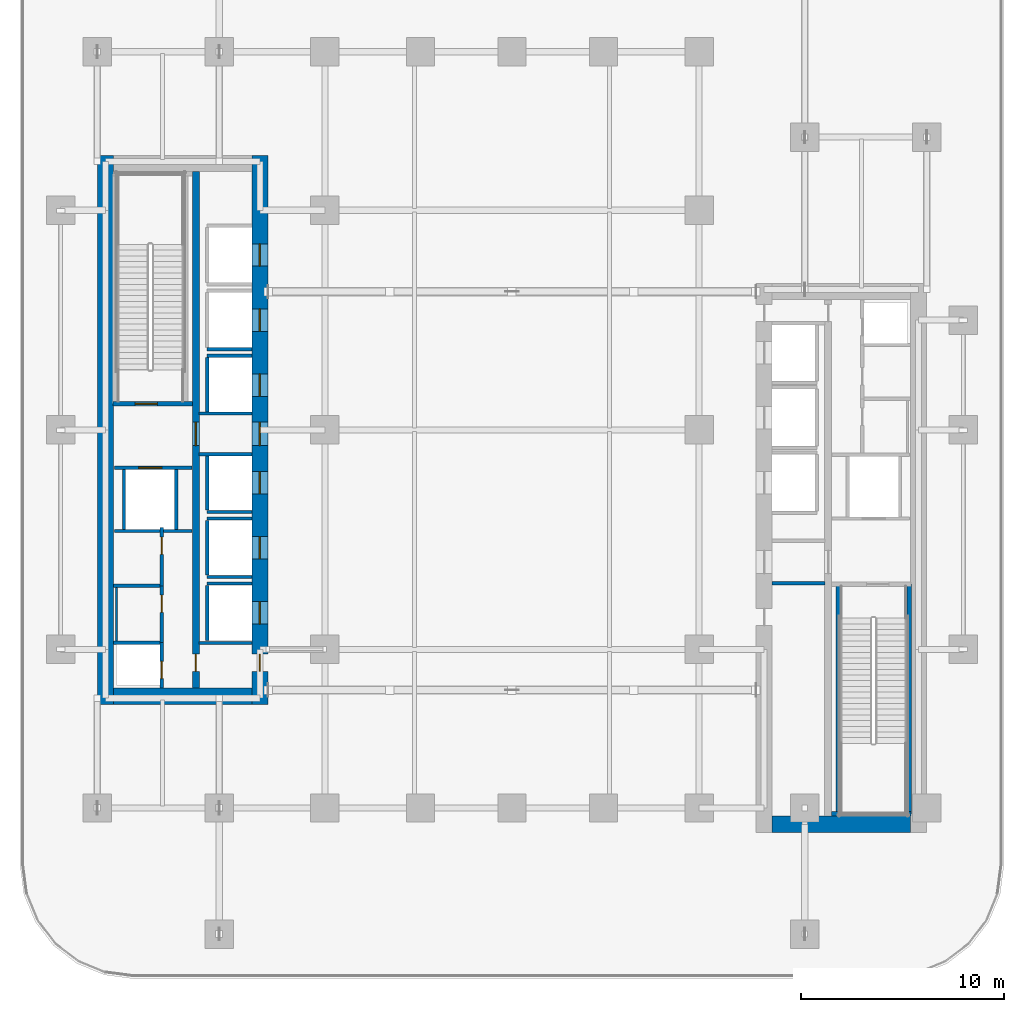
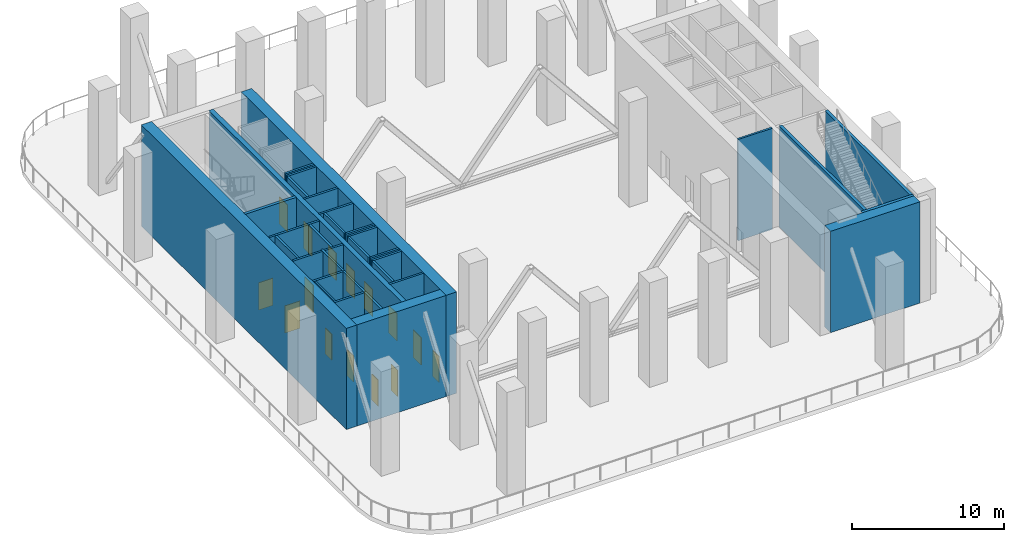
# One storey, part 5 of 13: 33 walls, 15 doors, 15 openings.
"""IFC4 building model written with IfcOpenShell, lengths in metres."""

from ifc_helpers import new_model, si_unit, direction, frame, frame_2d, origin, place, context, subcontext, project, spatial, rectangle, extrude, material, layer, layer_set, type_object, element, fill, save


model = new_model("IFC4")

# Units and contexts
model_context = context("Model", 3, precision=1e-05, world=origin(), true_north=direction((0.0, 1.0)))
body_context = subcontext(model_context, "Body", "Model", "MODEL_VIEW")
ifc_project = project(units=[si_unit("LENGTHUNIT", "METRE"), si_unit("AREAUNIT", "SQUARE_METRE"), si_unit("VOLUMEUNIT", "CUBIC_METRE"), si_unit("PLANEANGLEUNIT", "RADIAN"), si_unit("MASSUNIT", "GRAM", prefix="KILO")], contexts=[model_context])

# Site, building, storey
site_placement = place(None, origin())
site = spatial("IfcSite", under=ifc_project, at=site_placement, CompositionType="ELEMENT")
building_placement = place(site_placement, origin())
building = spatial("IfcBuilding", under=site, at=building_placement, Name="Khairoan Windgate Tower", CompositionType="ELEMENT")
storey_placement = place(building_placement, frame((0.0, 0.0, 84.800048828125)))
storey = spatial("IfcBuildingStorey", under=building, at=storey_placement, Name="L20", CompositionType="ELEMENT", Elevation=84.800048828125)

# Walls
ifc_material_1 = material(Name="Moisture-Resistant Gypsum Partition", Category="gypsum")
ifc_layer_1 = layer(ifc_material_1, 0.10009765625, Name="Moisture-Resistant Gypsum Partition")
ifc_layer_set_1 = layer_set([ifc_layer_1], Name="Moisture-Resistant Gypsum Partition")
wall_type_1 = type_object("IfcWallType", Name="Bathroom Wet-Area Partition Wall", PredefinedType="PARTITIONING", material=ifc_layer_set_1)
wall_1_placement = place(storey_placement, frame((-19.449951171875, -10.389892578125, 0.0), z_axis=(0.0, 0.0, 1.0), x_axis=(0.0, 1.0, 0.0)))
element("IfcWall", 1, at=wall_1_placement, inside=storey, type_object=wall_type_1, Name="L20 Wet Room Side Wall 011", PredefinedType="PARTITIONING", context=body_context, shape_type="SweptSolid", body=[
    extrude(rectangle(XDim=2.639892578125, YDim=0.10009765625, at=frame_2d((1.31982421875, 0.0))), origin(), (0.0, 0.0, 1.0), 8.139892578125),
])
ifc_material_2 = material(Name="Concrete C40/50", Category="concrete")
ifc_layer_2 = layer(ifc_material_2, 0.159912109375, Name="Concrete C40/50")
ifc_layer_set_2 = layer_set([ifc_layer_2], Name="Concrete C40/50")
wall_type_2 = type_object("IfcWallType", Name="Core and Hoistway Enclosure Wall", PredefinedType="STANDARD", material=ifc_layer_set_2)
for number, where, z_axis, x_axis, name in (
    (2, (-14.989990234375, 3.9599609375, 0.0), (0.0, 0.0, 1.0), (1.0, 0.0, 0.0), "L20 Lift PL2 Hoistway Divider S"),
    (3, (-14.989990234375, 3.639892578125, 0.0), (0.0, 0.0, 1.0), (1.0, 0.0, 0.0), "L20 Lift PL3 Hoistway Divider N"),
):
    element("IfcWall", number, at=place(storey_placement, frame(where, z_axis=z_axis, x_axis=x_axis)), inside=storey, type_object=wall_type_2, Name=name, PredefinedType="STANDARD", context=body_context, shape_type="SweptSolid", body=[
        extrude(rectangle(XDim=2.18994140625, YDim=0.159912109375, at=frame_2d((1.094970703125, 0.0))), origin(), (0.0, 0.0, 1.0), 8.139892578125),
    ])
wall_2_placement = place(storey_placement, frame((-14.989990234375, 0.85009765625, 0.0), z_axis=(0.0, 0.0, 1.0), x_axis=(0.0, 1.0, 0.0)))
element("IfcWall", 4, at=wall_2_placement, inside=storey, type_object=wall_type_2, Name="L20 Lift PL3 Hoistway Back Wall", PredefinedType="STANDARD", context=body_context, shape_type="SweptSolid", body=[
    extrude(rectangle(XDim=2.699951171875, YDim=0.159912109375, at=frame_2d((1.35009765625, 0.0))), origin(), (0.0, 0.0, 1.0), 8.139892578125),
])
wall_3_placement = place(storey_placement, frame((-14.989990234375, -4.0400390625, 0.0), z_axis=(0.0, 0.0, 1.0), x_axis=(1.0, 0.0, 0.0)))
element("IfcWall", 5, at=wall_3_placement, inside=storey, type_object=wall_type_2, Name="L20 Lift PL4 Hoistway Divider S", PredefinedType="STANDARD", context=body_context, shape_type="SweptSolid", body=[
    extrude(rectangle(XDim=2.18994140625, YDim=0.159912109375, at=frame_2d((1.094970703125, 0.0))), origin(), (0.0, 0.0, 1.0), 8.139892578125),
])
wall_4_placement = place(storey_placement, frame((-14.989990234375, -3.949951171875, 0.0), z_axis=(0.0, 0.0, 1.0), x_axis=(0.0, 1.0, 0.0)))
element("IfcWall", 6, at=wall_4_placement, inside=storey, type_object=wall_type_2, Name="L20 Lift PL4 Hoistway Back Wall", PredefinedType="STANDARD", context=body_context, shape_type="SweptSolid", body=[
    extrude(rectangle(XDim=2.699951171875, YDim=0.159912109375, at=frame_2d((1.35009765625, 0.0))), origin(), (0.0, 0.0, 1.0), 8.139892578125),
])
for number, where, z_axis, x_axis, name in (
    (7, (-14.989990234375, -7.239990234375, 0.0), (0.0, 0.0, 1.0), (1.0, 0.0, 0.0), "L20 Lift PL5 Hoistway Divider S"),
    (8, (-14.989990234375, -4.360107421875, 0.0), (0.0, 0.0, 1.0), (1.0, 0.0, 0.0), "L20 Lift PL5 Hoistway Divider N"),
):
    element("IfcWall", number, at=place(storey_placement, frame(where, z_axis=z_axis, x_axis=x_axis)), inside=storey, type_object=wall_type_2, Name=name, PredefinedType="STANDARD", context=body_context, shape_type="SweptSolid", body=[
        extrude(rectangle(XDim=2.18994140625, YDim=0.159912109375, at=frame_2d((1.094970703125, 0.0))), origin(), (0.0, 0.0, 1.0), 8.139892578125),
    ])
wall_5_placement = place(storey_placement, frame((-14.989990234375, -7.14990234375, 0.0), z_axis=(0.0, 0.0, 1.0), x_axis=(0.0, 1.0, 0.0)))
element("IfcWall", 9, at=wall_5_placement, inside=storey, type_object=wall_type_2, Name="L20 Lift PL5 Hoistway Back Wall", PredefinedType="STANDARD", context=body_context, shape_type="SweptSolid", body=[
    extrude(rectangle(XDim=2.699951171875, YDim=0.159912109375, at=frame_2d((1.35009765625, 0.0))), origin(), (0.0, 0.0, 1.0), 8.139892578125),
])
wall_6_placement = place(storey_placement, frame((-14.989990234375, -7.56005859375, 0.0), z_axis=(0.0, 0.0, 1.0), x_axis=(1.0, 0.0, 0.0)))
element("IfcWall", 10, at=wall_6_placement, inside=storey, type_object=wall_type_2, Name="L20 Lift PL6 Hoistway Divider N", PredefinedType="STANDARD", context=body_context, shape_type="SweptSolid", body=[
    extrude(rectangle(XDim=2.18994140625, YDim=0.159912109375, at=frame_2d((1.094970703125, 0.0))), origin(), (0.0, 0.0, 1.0), 8.139892578125),
])
wall_7_placement = place(storey_placement, frame((-14.989990234375, -10.35009765625, 0.0), z_axis=(0.0, 0.0, 1.0), x_axis=(0.0, 1.0, 0.0)))
element("IfcWall", 11, at=wall_7_placement, inside=storey, type_object=wall_type_2, Name="L20 Lift PL6 Hoistway Back Wall", PredefinedType="STANDARD", context=body_context, shape_type="SweptSolid", body=[
    extrude(rectangle(XDim=2.7001953125, YDim=0.159912109375, at=frame_2d((1.35009765625, 0.0))), origin(), (0.0, 0.0, 1.0), 8.139892578125),
])

# Wall, opening, door
wall_8_placement = place(storey_placement, frame((-19.550048828125, -1.860107421875, 0.0), z_axis=(0.0, 0.0, 1.0), x_axis=(1.0, 0.0, 0.0)))
wall_8 = element("IfcWall", 12, at=wall_8_placement, inside=storey, type_object=wall_type_2, Name="L20 Core Shaft Wall SW-FL2-L20", PredefinedType="STANDARD", context=body_context, shape_type="SweptSolid", body=[
    extrude(rectangle(XDim=3.800048828125, YDim=0.159912109375, at=frame_2d((1.89990234375, 0.0))), origin(), (0.0, 0.0, 1.0), 8.139892578125),
])
opening_1_placement = place(wall_8_placement, frame((1.179931640625, 0.0, 0.0)))
opening_1 = element("IfcOpeningElement", 13, at=opening_1_placement, cuts=wall_8, Name="Opening LD-FL", PredefinedType="OPENING", context=body_context, shape_type="SweptSolid", body=[
    extrude(rectangle(XDim=1.14990234375, YDim=2.199951171875, at=frame_2d((0.574951171875, 1.10009765625))), frame((0.0, 0.08984375, 0.0), z_axis=(0.0, -1.0, 0.0), x_axis=(1.0, 0.0, 0.0)), (0.0, 0.0, 1.0), 0.179931640625),
])
ifc_material_3 = material(Name="Steel S355", Category="steel")
door_type_1 = type_object("IfcDoorType", Name="Firefighting Lift Sliding Landing Door LD-FL 1150x2200", OperationType="DOUBLE_DOOR_SLIDING", PredefinedType="DOOR", material=ifc_material_3)
door_1_placement = place(opening_1_placement, origin())
door_1 = element("IfcDoor", 14, at=door_1_placement, inside=storey, type_object=door_type_1, Name="L20 Firefighting Lift FL2 Landing Door", OperationType="DOUBLE_DOOR_SLIDING", OverallHeight=2.199951171875, OverallWidth=1.14990234375, PredefinedType="DOOR", context=body_context, shape_type="SweptSolid", body=[
    extrude(rectangle(XDim=1.14990234375, YDim=2.199951171875, at=frame_2d((0.574951171875, 1.10009765625))), frame((0.0, 0.02490234375, 0.0), z_axis=(0.0, -1.0, 0.0), x_axis=(1.0, 0.0, 0.0)), (0.0, 0.0, 1.0), 0.050048828125),
])
fill(opening_1, door_1)

# Walls
wall_9_placement = place(storey_placement, frame((-19.550048828125, -4.97998046875, 0.0), z_axis=(0.0, 0.0, 1.0), x_axis=(1.0, 0.0, 0.0)))
element("IfcWall", 15, at=wall_9_placement, inside=storey, type_object=wall_type_2, Name="L20 Core Shaft Wall SW-FL2B-L20", PredefinedType="STANDARD", context=body_context, shape_type="SweptSolid", body=[
    extrude(rectangle(XDim=3.800048828125, YDim=0.159912109375, at=frame_2d((1.89990234375, 0.0))), origin(), (0.0, 0.0, 1.0), 8.139892578125),
])
for number, where, z_axis, x_axis, name in (
    (16, (-19.080078125, -4.89990234375, 0.0), (0.0, 0.0, 1.0), (0.0, 1.0, 0.0), "L20 Core Shaft Wall SW-FL2W-L20"),
    (17, (-16.52001953125, -4.89990234375, 0.0), (0.0, 0.0, 1.0), (0.0, 1.0, 0.0), "L20 Core Shaft Wall SW-FL2E-L20"),
):
    element("IfcWall", number, at=place(storey_placement, frame(where, z_axis=z_axis, x_axis=x_axis)), inside=storey, type_object=wall_type_2, Name=name, PredefinedType="STANDARD", context=body_context, shape_type="SweptSolid", body=[
        extrude(rectangle(XDim=2.9599609375, YDim=0.159912109375, at=frame_2d((1.47998046875, 0.0))), origin(), (0.0, 0.0, 1.0), 8.139892578125),
    ])
for number, where, z_axis, x_axis, name in (
    (18, (-15.39990234375, 0.800048828125, 0.0), (0.0, 0.0, 1.0), (1.0, 0.0, 0.0), "L20 Core Shaft Wall SW-WV1-L20"),
    (19, (-15.39990234375, -1.199951171875, 0.0), (0.0, 0.0, 1.0), (1.0, 0.0, 0.0), "L20 Core Shaft Wall SW-WV2-L20"),
    (20, (-15.39990234375, -10.47998046875, 0.0), (0.0, 0.0, 1.0), (1.0, 0.0, 0.0), "L20 Core Shaft Wall SW-WSV-L20"),
    (21, (12.800048828125, -7.5400390625, 0.0), (0.0, 0.0, 1.0), (1.0, 0.0, 0.0), "L20 Core Shaft Wall SW-EV2-L20"),
):
    element("IfcWall", number, at=place(storey_placement, frame(where, z_axis=z_axis, x_axis=x_axis)), inside=storey, type_object=wall_type_2, Name=name, PredefinedType="STANDARD", context=body_context, shape_type="SweptSolid", body=[
        extrude(rectangle(XDim=2.599853515625, YDim=0.159912109375, at=frame_2d((1.2998046875, 0.0))), origin(), (0.0, 0.0, 1.0), 8.139892578125),
    ])

# Wall, opening, door
ifc_material_4 = material(Name="Concrete C40/50", Category="concrete")
ifc_layer_3 = layer(ifc_material_4, 0.159912109375, Name="Concrete C40/50")
ifc_layer_set_3 = layer_set([ifc_layer_3], Name="Concrete C40/50")
wall_type_3 = type_object("IfcWallType", Name="Plant and Refuge Compartment Wall", PredefinedType="PARTITIONING", material=ifc_layer_set_3)
wall_10_placement = place(storey_placement, frame((-17.22998046875, -12.699951171875, 0.0), z_axis=(0.0, 0.0, 1.0), x_axis=(0.0, 1.0, 0.0)))
wall_10 = element("IfcWall", 22, at=wall_10_placement, inside=storey, type_object=wall_type_3, Name="L20 Interior Partition 001", PredefinedType="PARTITIONING", context=body_context, shape_type="SweptSolid", body=[
    extrude(rectangle(XDim=2.22998046875, YDim=0.159912109375, at=frame_2d((1.114990234375, 0.0))), origin(), (0.0, 0.0, 1.0), 8.139892578125),
])
opening_2_placement = place(wall_10_placement, frame((0.4599609375, 0.0, 0.0)))
opening_2 = element("IfcOpeningElement", 23, at=opening_2_placement, cuts=wall_10, Name="Opening FD-SRV", PredefinedType="OPENING", context=body_context, shape_type="SweptSolid", body=[
    extrude(rectangle(XDim=0.85009765625, YDim=2.10009765625, at=frame_2d((0.425048828125, 1.050048828125))), frame((0.0, 0.08984375, 0.0), z_axis=(0.0, -1.0, 0.0), x_axis=(1.0, 0.0, 0.0)), (0.0, 0.0, 1.0), 0.179931640625),
])
ifc_material_5 = material(Name="Steel S355", Category="steel")
door_type_2 = type_object("IfcDoorType", Name="Core Service and Riser Fire Door FD-SRV 850x2100", OperationType="NOTDEFINED", PredefinedType="DOOR", material=ifc_material_5)
door_2_placement = place(opening_2_placement, origin())
door_2 = element("IfcDoor", 24, at=door_2_placement, inside=storey, type_object=door_type_2, Name="L20 L20-04-L20-05 Door", OperationType="SINGLE_SWING_LEFT", OverallHeight=2.10009765625, OverallWidth=0.85009765625, PredefinedType="DOOR", context=body_context, shape_type="SweptSolid", body=[
    extrude(rectangle(XDim=0.85009765625, YDim=2.10009765625, at=frame_2d((0.425048828125, 1.050048828125))), frame((0.0, 0.02490234375, 0.0), z_axis=(0.0, -1.0, 0.0), x_axis=(1.0, 0.0, 0.0)), (0.0, 0.0, 1.0), 0.050048828125),
])
fill(opening_2, door_2)

wall_11_placement = place(storey_placement, frame((-17.22998046875, -10.469970703125, 0.0), z_axis=(0.0, 0.0, 1.0), x_axis=(0.0, 1.0, 0.0)))
wall_11 = element("IfcWall", 25, at=wall_11_placement, inside=storey, type_object=wall_type_3, Name="L20 Interior Partition 002", PredefinedType="PARTITIONING", context=body_context, shape_type="SweptSolid", body=[
    extrude(rectangle(XDim=2.800048828125, YDim=0.159912109375, at=frame_2d((1.39990234375, 0.0))), origin(), (0.0, 0.0, 1.0), 8.139892578125),
])
opening_3_placement = place(wall_11_placement, frame((1.489990234375, 0.0, 0.0)))
opening_3 = element("IfcOpeningElement", 26, at=opening_3_placement, cuts=wall_11, Name="Opening FD-SRV", PredefinedType="OPENING", context=body_context, shape_type="SweptSolid", body=[
    extrude(rectangle(XDim=0.85009765625, YDim=2.10009765625, at=frame_2d((0.425048828125, 1.050048828125))), frame((0.0, 0.08984375, 0.0), z_axis=(0.0, -1.0, 0.0), x_axis=(1.0, 0.0, 0.0)), (0.0, 0.0, 1.0), 0.179931640625),
])
door_3_placement = place(opening_3_placement, origin())
door_3 = element("IfcDoor", 27, at=door_3_placement, inside=storey, type_object=door_type_2, Name="L20 L20-04-L20-06 Door", OperationType="SINGLE_SWING_RIGHT", OverallHeight=2.10009765625, OverallWidth=0.85009765625, PredefinedType="DOOR", context=body_context, shape_type="SweptSolid", body=[
    extrude(rectangle(XDim=0.85009765625, YDim=2.10009765625, at=frame_2d((0.425048828125, 1.050048828125))), frame((0.0, 0.02490234375, 0.0), z_axis=(0.0, -1.0, 0.0), x_axis=(1.0, 0.0, 0.0)), (0.0, 0.0, 1.0), 0.050048828125),
])
fill(opening_3, door_3)

wall_12_placement = place(storey_placement, frame((-17.22998046875, -7.669921875, 0.0), z_axis=(0.0, 0.0, 1.0), x_axis=(0.0, 1.0, 0.0)))
wall_12 = element("IfcWall", 28, at=wall_12_placement, inside=storey, type_object=wall_type_3, Name="L20 Interior Partition 003", PredefinedType="PARTITIONING", context=body_context, shape_type="SweptSolid", body=[
    extrude(rectangle(XDim=2.85986328125, YDim=0.159912109375, at=frame_2d((1.429931640625, 0.0))), origin(), (0.0, 0.0, 1.0), 8.139892578125),
])
opening_4_placement = place(wall_12_placement, frame((1.550048828125, 0.0, 0.0)))
opening_4 = element("IfcOpeningElement", 29, at=opening_4_placement, cuts=wall_12, Name="Opening FD-SRV", PredefinedType="OPENING", context=body_context, shape_type="SweptSolid", body=[
    extrude(rectangle(XDim=0.85009765625, YDim=2.10009765625, at=frame_2d((0.425048828125, 1.050048828125))), frame((0.0, 0.08984375, 0.0), z_axis=(0.0, -1.0, 0.0), x_axis=(1.0, 0.0, 0.0)), (0.0, 0.0, 1.0), 0.179931640625),
])
door_4_placement = place(opening_4_placement, origin())
door_4 = element("IfcDoor", 30, at=door_4_placement, inside=storey, type_object=door_type_2, Name="L20 L20-04-L20-07 Door", OperationType="SINGLE_SWING_LEFT", OverallHeight=2.10009765625, OverallWidth=0.85009765625, PredefinedType="DOOR", context=body_context, shape_type="SweptSolid", body=[
    extrude(rectangle(XDim=0.85009765625, YDim=2.10009765625, at=frame_2d((0.425048828125, 1.050048828125))), frame((0.0, 0.02490234375, 0.0), z_axis=(0.0, -1.0, 0.0), x_axis=(1.0, 0.0, 0.0)), (0.0, 0.0, 1.0), 0.050048828125),
])
fill(opening_4, door_4)

# Walls
for number, where, z_axis, x_axis, name in (
    (31, (-19.60009765625, -10.469970703125, 0.0), (0.0, 0.0, 1.0), (1.0, 0.0, 0.0), "L20 Interior Partition 004"),
    (32, (-19.60009765625, -7.669921875, 0.0), (0.0, 0.0, 1.0), (1.0, 0.0, 0.0), "L20 Interior Partition 005"),
):
    element("IfcWall", number, at=place(storey_placement, frame(where, z_axis=z_axis, x_axis=x_axis)), inside=storey, type_object=wall_type_3, Name=name, PredefinedType="PARTITIONING", context=body_context, shape_type="SweptSolid", body=[
        extrude(rectangle(XDim=2.2900390625, YDim=0.159912109375, at=frame_2d((1.14501953125, 0.0))), origin(), (0.0, 0.0, 1.0), 8.139892578125),
    ])
ifc_material_6 = material(Name="Concrete C70/85", Category="concrete")
ifc_layer_4 = layer(ifc_material_6, 0.800048828125, Name="Concrete C70/85")
ifc_layer_set_4 = layer_set([ifc_layer_4], Name="Concrete C70/85")
wall_type_4 = type_object("IfcWallType", Name="Shear Wall CW-E1 800mm", PredefinedType="SHEAR", material=ifc_layer_set_4)
wall_13_placement = place(storey_placement, frame((12.800048828125, -19.39990234375, 0.0), z_axis=(0.0, 0.0, 1.0), x_axis=(1.0, 0.0, 0.0)))
element("IfcWall", 33, at=wall_13_placement, inside=storey, type_object=wall_type_4, Name="E Core South Shear Wall L20", PredefinedType="SHEAR", context=body_context, shape_type="SweptSolid", body=[
    extrude(rectangle(XDim=6.800048828125, YDim=0.800048828125, at=frame_2d((3.39990234375, 0.0))), origin(), (0.0, 0.0, 1.0), 8.139892578125),
])
ifc_material_7 = material(Name="Concrete C70/85", Category="concrete")
ifc_layer_5 = layer(ifc_material_7, 0.800048828125, Name="Concrete C70/85")
ifc_layer_set_5 = layer_set([ifc_layer_5], Name="Concrete C70/85")
wall_type_5 = type_object("IfcWallType", Name="Shear Wall CW-W1 800mm", PredefinedType="SHEAR", material=ifc_layer_set_5)
wall_14_placement = place(storey_placement, frame((-20.0, -13.5, 0.0), z_axis=(0.0, 0.0, 1.0), x_axis=(0.0, 1.0, 0.0)))
element("IfcWall", 34, at=wall_14_placement, inside=storey, type_object=wall_type_5, Name="W Core West Shear Wall L20", PredefinedType="SHEAR", context=body_context, shape_type="SweptSolid", body=[
    extrude(rectangle(XDim=27.0, YDim=0.800048828125, at=frame_2d((13.5, 0.0))), origin(), (0.0, 0.0, 1.0), 8.139892578125),
])

# Wall, openings, doors
wall_15_placement = place(storey_placement, frame((-12.39990234375, -13.5, 0.0), z_axis=(0.0, 0.0, 1.0), x_axis=(0.0, 1.0, 0.0)))
wall_15 = element("IfcWall", 35, at=wall_15_placement, inside=storey, type_object=wall_type_5, Name="W Core East Shear Wall L20", PredefinedType="SHEAR", context=body_context, shape_type="SweptSolid", body=[
    extrude(rectangle(XDim=27.0, YDim=0.800048828125, at=frame_2d((13.5, 0.0))), origin(), (0.0, 0.0, 1.0), 8.139892578125),
])
opening_5_placement = place(wall_15_placement, frame((21.550048828125, 0.0, 0.0)))
opening_5 = element("IfcOpeningElement", 36, at=opening_5_placement, cuts=wall_15, Name="Opening LD-PL", PredefinedType="OPENING", context=body_context, shape_type="SweptSolid", body=[
    extrude(rectangle(XDim=1.10009765625, YDim=2.199951171875, at=frame_2d((0.550048828125, 1.10009765625))), frame((0.0, 0.409912109375, 0.0), z_axis=(0.0, -1.0, 0.0), x_axis=(1.0, 0.0, 0.0)), (0.0, 0.0, 1.0), 0.820068359375),
])
opening_6_placement = place(wall_15_placement, frame((18.35009765625, 0.0, 0.0)))
opening_6 = element("IfcOpeningElement", 37, at=opening_6_placement, cuts=wall_15, Name="Opening LD-PL", PredefinedType="OPENING", context=body_context, shape_type="SweptSolid", body=[
    extrude(rectangle(XDim=1.10009765625, YDim=2.199951171875, at=frame_2d((0.550048828125, 1.10009765625))), frame((0.0, 0.409912109375, 0.0), z_axis=(0.0, -1.0, 0.0), x_axis=(1.0, 0.0, 0.0)), (0.0, 0.0, 1.0), 0.820068359375),
])
opening_7_placement = place(wall_15_placement, frame((15.14990234375, 0.0, 0.0)))
opening_7 = element("IfcOpeningElement", 38, at=opening_7_placement, cuts=wall_15, Name="Opening LD-PL", PredefinedType="OPENING", context=body_context, shape_type="SweptSolid", body=[
    extrude(rectangle(XDim=1.10009765625, YDim=2.199951171875, at=frame_2d((0.550048828125, 1.10009765625))), frame((0.0, 0.409912109375, 0.0), z_axis=(0.0, -1.0, 0.0), x_axis=(1.0, 0.0, 0.0)), (0.0, 0.0, 1.0), 0.820068359375),
])
opening_8_placement = place(wall_15_placement, frame((10.35009765625, 0.0, 0.0)))
opening_8 = element("IfcOpeningElement", 39, at=opening_8_placement, cuts=wall_15, Name="Opening LD-PL", PredefinedType="OPENING", context=body_context, shape_type="SweptSolid", body=[
    extrude(rectangle(XDim=1.10009765625, YDim=2.199951171875, at=frame_2d((0.550048828125, 1.10009765625))), frame((0.0, 0.409912109375, 0.0), z_axis=(0.0, -1.0, 0.0), x_axis=(1.0, 0.0, 0.0)), (0.0, 0.0, 1.0), 0.820068359375),
])
opening_9_placement = place(wall_15_placement, frame((7.14990234375, 0.0, 0.0)))
opening_9 = element("IfcOpeningElement", 40, at=opening_9_placement, cuts=wall_15, Name="Opening LD-PL", PredefinedType="OPENING", context=body_context, shape_type="SweptSolid", body=[
    extrude(rectangle(XDim=1.10009765625, YDim=2.199951171875, at=frame_2d((0.550048828125, 1.10009765625))), frame((0.0, 0.409912109375, 0.0), z_axis=(0.0, -1.0, 0.0), x_axis=(1.0, 0.0, 0.0)), (0.0, 0.0, 1.0), 0.820068359375),
])
opening_10_placement = place(wall_15_placement, frame((3.949951171875, 0.0, 0.0)))
opening_10 = element("IfcOpeningElement", 41, at=opening_10_placement, cuts=wall_15, Name="Opening LD-PL", PredefinedType="OPENING", context=body_context, shape_type="SweptSolid", body=[
    extrude(rectangle(XDim=1.10009765625, YDim=2.199951171875, at=frame_2d((0.550048828125, 1.10009765625))), frame((0.0, 0.409912109375, 0.0), z_axis=(0.0, -1.0, 0.0), x_axis=(1.0, 0.0, 0.0)), (0.0, 0.0, 1.0), 0.820068359375),
])
opening_11_placement = place(wall_15_placement, frame((12.72509765625, 0.0, 0.0)))
opening_11 = element("IfcOpeningElement", 42, at=opening_11_placement, cuts=wall_15, Name="Opening FD-FFL", PredefinedType="OPENING", context=body_context, shape_type="SweptSolid", body=[
    extrude(rectangle(XDim=1.14990234375, YDim=2.199951171875, at=frame_2d((0.574951171875, 1.10009765625))), frame((0.0, 0.409912109375, 0.0), z_axis=(0.0, -1.0, 0.0), x_axis=(1.0, 0.0, 0.0)), (0.0, 0.0, 1.0), 0.820068359375),
])
opening_12_placement = place(wall_15_placement, frame((1.625, 0.0, 0.0)))
opening_12 = element("IfcOpeningElement", 43, at=opening_12_placement, cuts=wall_15, Name="Opening FD-SRV", PredefinedType="OPENING", context=body_context, shape_type="SweptSolid", body=[
    extrude(rectangle(XDim=0.85009765625, YDim=2.10009765625, at=frame_2d((0.425048828125, 1.050048828125))), frame((0.0, 0.409912109375, 0.0), z_axis=(0.0, -1.0, 0.0), x_axis=(1.0, 0.0, 0.0)), (0.0, 0.0, 1.0), 0.820068359375),
])
door_5_placement = place(opening_12_placement, origin())
door_5 = element("IfcDoor", 44, at=door_5_placement, inside=storey, type_object=door_type_2, Name="L20 West Core Service Vestibule Outer Door", OperationType="SINGLE_SWING_LEFT", OverallHeight=2.10009765625, OverallWidth=0.85009765625, PredefinedType="DOOR", context=body_context, shape_type="SweptSolid", body=[
    extrude(rectangle(XDim=0.85009765625, YDim=2.10009765625, at=frame_2d((0.425048828125, 1.050048828125))), frame((0.0, 0.02490234375, 0.0), z_axis=(0.0, -1.0, 0.0), x_axis=(1.0, 0.0, 0.0)), (0.0, 0.0, 1.0), 0.050048828125),
])
fill(opening_12, door_5)
ifc_material_8 = material(Name="Steel S355", Category="steel")
door_type_3 = type_object("IfcDoorType", Name="Firefighting Lobby Fire Door FD-FFL 1150x2200", OperationType="NOTDEFINED", PredefinedType="DOOR", material=ifc_material_8)
door_6_placement = place(opening_11_placement, origin())
door_6 = element("IfcDoor", 45, at=door_6_placement, inside=storey, type_object=door_type_3, Name="L20 West Core Vestibule Entry Door", OperationType="SINGLE_SWING_LEFT", OverallHeight=2.199951171875, OverallWidth=1.14990234375, PredefinedType="DOOR", context=body_context, shape_type="SweptSolid", body=[
    extrude(rectangle(XDim=1.14990234375, YDim=2.199951171875, at=frame_2d((0.574951171875, 1.10009765625))), frame((0.0, 0.02490234375, 0.0), z_axis=(0.0, -1.0, 0.0), x_axis=(1.0, 0.0, 0.0)), (0.0, 0.0, 1.0), 0.050048828125),
])
fill(opening_11, door_6)
ifc_material_9 = material(Name="Anodised Bronze Aluminium 6063-T6", Category="aluminium")
door_type_4 = type_object("IfcDoorType", Name="Passenger Lift Sliding Landing Door LD-PL 1100x2200", OperationType="DOUBLE_DOOR_SLIDING", PredefinedType="DOOR", material=ifc_material_9)
door_7_placement = place(opening_5_placement, origin())
door_7 = element("IfcDoor", 46, at=door_7_placement, inside=storey, type_object=door_type_4, Name="L20 Lift PL1 Sliding Landing Door", OperationType="DOUBLE_DOOR_SLIDING", OverallHeight=2.199951171875, OverallWidth=1.10009765625, PredefinedType="DOOR", context=body_context, shape_type="SweptSolid", body=[
    extrude(rectangle(XDim=1.10009765625, YDim=2.199951171875, at=frame_2d((0.550048828125, 1.10009765625))), frame((0.0, 0.02490234375, 0.0), z_axis=(0.0, -1.0, 0.0), x_axis=(1.0, 0.0, 0.0)), (0.0, 0.0, 1.0), 0.050048828125),
])
fill(opening_5, door_7)
door_8_placement = place(opening_6_placement, origin())
door_8 = element("IfcDoor", 47, at=door_8_placement, inside=storey, type_object=door_type_4, Name="L20 Lift PL2 Sliding Landing Door", OperationType="DOUBLE_DOOR_SLIDING", OverallHeight=2.199951171875, OverallWidth=1.10009765625, PredefinedType="DOOR", context=body_context, shape_type="SweptSolid", body=[
    extrude(rectangle(XDim=1.10009765625, YDim=2.199951171875, at=frame_2d((0.550048828125, 1.10009765625))), frame((0.0, 0.02490234375, 0.0), z_axis=(0.0, -1.0, 0.0), x_axis=(1.0, 0.0, 0.0)), (0.0, 0.0, 1.0), 0.050048828125),
])
fill(opening_6, door_8)
door_9_placement = place(opening_7_placement, origin())
door_9 = element("IfcDoor", 48, at=door_9_placement, inside=storey, type_object=door_type_4, Name="L20 Lift PL3 Sliding Landing Door", OperationType="DOUBLE_DOOR_SLIDING", OverallHeight=2.199951171875, OverallWidth=1.10009765625, PredefinedType="DOOR", context=body_context, shape_type="SweptSolid", body=[
    extrude(rectangle(XDim=1.10009765625, YDim=2.199951171875, at=frame_2d((0.550048828125, 1.10009765625))), frame((0.0, 0.02490234375, 0.0), z_axis=(0.0, -1.0, 0.0), x_axis=(1.0, 0.0, 0.0)), (0.0, 0.0, 1.0), 0.050048828125),
])
fill(opening_7, door_9)
door_10_placement = place(opening_8_placement, origin())
door_10 = element("IfcDoor", 49, at=door_10_placement, inside=storey, type_object=door_type_4, Name="L20 Lift PL4 Sliding Landing Door", OperationType="DOUBLE_DOOR_SLIDING", OverallHeight=2.199951171875, OverallWidth=1.10009765625, PredefinedType="DOOR", context=body_context, shape_type="SweptSolid", body=[
    extrude(rectangle(XDim=1.10009765625, YDim=2.199951171875, at=frame_2d((0.550048828125, 1.10009765625))), frame((0.0, 0.02490234375, 0.0), z_axis=(0.0, -1.0, 0.0), x_axis=(1.0, 0.0, 0.0)), (0.0, 0.0, 1.0), 0.050048828125),
])
fill(opening_8, door_10)
door_11_placement = place(opening_9_placement, origin())
door_11 = element("IfcDoor", 50, at=door_11_placement, inside=storey, type_object=door_type_4, Name="L20 Lift PL5 Sliding Landing Door", OperationType="DOUBLE_DOOR_SLIDING", OverallHeight=2.199951171875, OverallWidth=1.10009765625, PredefinedType="DOOR", context=body_context, shape_type="SweptSolid", body=[
    extrude(rectangle(XDim=1.10009765625, YDim=2.199951171875, at=frame_2d((0.550048828125, 1.10009765625))), frame((0.0, 0.02490234375, 0.0), z_axis=(0.0, -1.0, 0.0), x_axis=(1.0, 0.0, 0.0)), (0.0, 0.0, 1.0), 0.050048828125),
])
fill(opening_9, door_11)
door_12_placement = place(opening_10_placement, origin())
door_12 = element("IfcDoor", 51, at=door_12_placement, inside=storey, type_object=door_type_4, Name="L20 Lift PL6 Sliding Landing Door", OperationType="DOUBLE_DOOR_SLIDING", OverallHeight=2.199951171875, OverallWidth=1.10009765625, PredefinedType="DOOR", context=body_context, shape_type="SweptSolid", body=[
    extrude(rectangle(XDim=1.10009765625, YDim=2.199951171875, at=frame_2d((0.550048828125, 1.10009765625))), frame((0.0, 0.02490234375, 0.0), z_axis=(0.0, -1.0, 0.0), x_axis=(1.0, 0.0, 0.0)), (0.0, 0.0, 1.0), 0.050048828125),
])
fill(opening_10, door_12)

# Wall
wall_16_placement = place(storey_placement, frame((-19.60009765625, -13.10009765625, 0.0), z_axis=(0.0, 0.0, 1.0), x_axis=(1.0, 0.0, 0.0)))
element("IfcWall", 52, at=wall_16_placement, inside=storey, type_object=wall_type_5, Name="W Core South Shear Wall L20", PredefinedType="SHEAR", context=body_context, shape_type="SweptSolid", body=[
    extrude(rectangle(XDim=6.800048828125, YDim=0.800048828125, at=frame_2d((3.39990234375, 0.0))), origin(), (0.0, 0.0, 1.0), 8.139892578125),
])

# Wall, openings, doors
ifc_material_10 = material(Name="Concrete C60/75", Category="concrete")
ifc_layer_6 = layer(ifc_material_10, 0.35009765625, Name="Concrete C60/75")
ifc_layer_set_6 = layer_set([ifc_layer_6], Name="Concrete C60/75")
wall_type_6 = type_object("IfcWallType", Name="Shear Wall SW-1 350mm", PredefinedType="SHEAR", material=ifc_layer_set_6)
wall_17_placement = place(storey_placement, frame((-15.550048828125, -12.699951171875, 0.0), z_axis=(0.0, 0.0, 1.0), x_axis=(0.0, 1.0, 0.0)))
wall_17 = element("IfcWall", 53, at=wall_17_placement, inside=storey, type_object=wall_type_6, Name="W Core Spine Shear Wall L20", PredefinedType="SHEAR", context=body_context, shape_type="SweptSolid", body=[
    extrude(rectangle(XDim=25.39990234375, YDim=0.35009765625, at=frame_2d((12.699951171875, 0.0))), origin(), (0.0, 0.0, 1.0), 8.139892578125),
])
opening_13_placement = place(wall_17_placement, frame((11.925048828125, 0.0, 0.0)))
opening_13 = element("IfcOpeningElement", 54, at=opening_13_placement, cuts=wall_17, Name="Opening FD-FFL", PredefinedType="OPENING", context=body_context, shape_type="SweptSolid", body=[
    extrude(rectangle(XDim=1.14990234375, YDim=2.199951171875, at=frame_2d((0.574951171875, 1.10009765625))), frame((0.0, 0.18505859375, 0.0), z_axis=(0.0, -1.0, 0.0), x_axis=(1.0, 0.0, 0.0)), (0.0, 0.0, 1.0), 0.3701171875),
])
opening_14_placement = place(wall_17_placement, frame((0.824951171875, 0.0, 0.0)))
opening_14 = element("IfcOpeningElement", 55, at=opening_14_placement, cuts=wall_17, Name="Opening FD-SRV", PredefinedType="OPENING", context=body_context, shape_type="SweptSolid", body=[
    extrude(rectangle(XDim=0.85009765625, YDim=2.10009765625, at=frame_2d((0.425048828125, 1.050048828125))), frame((0.0, 0.18505859375, 0.0), z_axis=(0.0, -1.0, 0.0), x_axis=(1.0, 0.0, 0.0)), (0.0, 0.0, 1.0), 0.3701171875),
])
door_13_placement = place(opening_14_placement, origin())
door_13 = element("IfcDoor", 56, at=door_13_placement, inside=storey, type_object=door_type_2, Name="L20 West Core Service Passage Inner Door", OperationType="SINGLE_SWING_RIGHT", OverallHeight=2.10009765625, OverallWidth=0.85009765625, PredefinedType="DOOR", context=body_context, shape_type="SweptSolid", body=[
    extrude(rectangle(XDim=0.85009765625, YDim=2.10009765625, at=frame_2d((0.425048828125, 1.050048828125))), frame((0.0, 0.02490234375, 0.0), z_axis=(0.0, -1.0, 0.0), x_axis=(1.0, 0.0, 0.0)), (0.0, 0.0, 1.0), 0.050048828125),
])
fill(opening_14, door_13)
door_14_placement = place(opening_13_placement, origin())
door_14 = element("IfcDoor", 57, at=door_14_placement, inside=storey, type_object=door_type_3, Name="L20 West Firefighting Lobby Fire Door", OperationType="SINGLE_SWING_RIGHT", OverallHeight=2.199951171875, OverallWidth=1.14990234375, PredefinedType="DOOR", context=body_context, shape_type="SweptSolid", body=[
    extrude(rectangle(XDim=1.14990234375, YDim=2.199951171875, at=frame_2d((0.574951171875, 1.10009765625))), frame((0.0, 0.02490234375, 0.0), z_axis=(0.0, -1.0, 0.0), x_axis=(1.0, 0.0, 0.0)), (0.0, 0.0, 1.0), 0.050048828125),
])
fill(opening_13, door_14)

# Walls
ifc_material_11 = material(Name="Concrete C50/60", Category="concrete")
ifc_layer_7 = layer(ifc_material_11, 0.219970703125, Name="Concrete C50/60")
ifc_layer_set_7 = layer_set([ifc_layer_7], Name="Concrete C50/60")
wall_type_7 = type_object("IfcWallType", Name="Shear Wall SW-ST 220mm", PredefinedType="SHEAR", material=ifc_layer_set_7)
for number, where, z_axis, x_axis, name in (
    (58, (16.0400390625, -18.889892578125, 0.0), (0.0, 0.0, 1.0), (0.0, 1.0, 0.0), "L20 Stair ST1 West Bearing Wall"),
    (59, (19.530029296875, -18.889892578125, 0.0), (0.0, 0.0, 1.0), (0.0, 1.0, 0.0), "L20 Stair ST1 East Bearing Wall"),
):
    element("IfcWall", number, at=place(storey_placement, frame(where, z_axis=z_axis, x_axis=x_axis)), inside=storey, type_object=wall_type_7, Name=name, PredefinedType="SHEAR", context=body_context, shape_type="SweptSolid", body=[
        extrude(rectangle(XDim=11.2998046875, YDim=0.219970703125, at=frame_2d((5.64990234375, 0.0))), origin(), (0.0, 0.0, 1.0), 8.139892578125),
    ])
wall_18_placement = place(storey_placement, frame((15.705078125, -18.889892578125, 0.0), z_axis=(0.0, 0.0, 1.0), x_axis=(1.0, 0.0, 0.0)))
element("IfcWall", 60, at=wall_18_placement, inside=storey, type_object=wall_type_7, Name="L20 Stair ST1 South Bearing Wall", PredefinedType="SHEAR", context=body_context, shape_type="SweptSolid", body=[
    extrude(rectangle(XDim=3.9150390625, YDim=0.219970703125, at=frame_2d((1.95751953125, 0.0))), origin(), (0.0, 0.0, 1.0), 8.139892578125),
])

# Wall, opening, door
wall_19_placement = place(storey_placement, frame((-19.6201171875, 1.2900390625, 0.0), z_axis=(0.0, 0.0, 1.0), x_axis=(1.0, 0.0, 0.0)))
wall_19 = element("IfcWall", 61, at=wall_19_placement, inside=storey, type_object=wall_type_7, Name="L20 Stair ST2 South Bearing Wall", PredefinedType="SHEAR", context=body_context, shape_type="SweptSolid", body=[
    extrude(rectangle(XDim=3.9150390625, YDim=0.219970703125, at=frame_2d((1.95751953125, 0.0))), origin(), (0.0, 0.0, 1.0), 8.139892578125),
])
opening_15_placement = place(wall_19_placement, frame((1.080078125, 0.0, 0.0)))
opening_15 = element("IfcOpeningElement", 62, at=opening_15_placement, cuts=wall_19, Name="Opening FD-ST", PredefinedType="OPENING", context=body_context, shape_type="SweptSolid", body=[
    extrude(rectangle(XDim=1.10009765625, YDim=2.199951171875, at=frame_2d((0.550048828125, 1.10009765625))), frame((0.0, 0.119873046875, 0.0), z_axis=(0.0, -1.0, 0.0), x_axis=(1.0, 0.0, 0.0)), (0.0, 0.0, 1.0), 0.239990234375),
])
ifc_material_12 = material(Name="Steel S355", Category="steel")
door_type_5 = type_object("IfcDoorType", Name="Smokeproof Stair Fire Door FD-ST 1100x2200", OperationType="NOTDEFINED", PredefinedType="DOOR", material=ifc_material_12)
door_15_placement = place(opening_15_placement, origin())
door_15 = element("IfcDoor", 63, at=door_15_placement, inside=storey, type_object=door_type_5, Name="L20 Stair ST2 Fire Door", OperationType="SINGLE_SWING_LEFT", OverallHeight=2.199951171875, OverallWidth=1.10009765625, PredefinedType="DOOR", context=body_context, shape_type="SweptSolid", body=[
    extrude(rectangle(XDim=1.10009765625, YDim=2.199951171875, at=frame_2d((0.550048828125, 1.10009765625))), frame((0.0, 0.02490234375, 0.0), z_axis=(0.0, -1.0, 0.0), x_axis=(1.0, 0.0, 0.0)), (0.0, 0.0, 1.0), 0.050048828125),
])
fill(opening_15, door_15)

save(model, "model.ifc")
